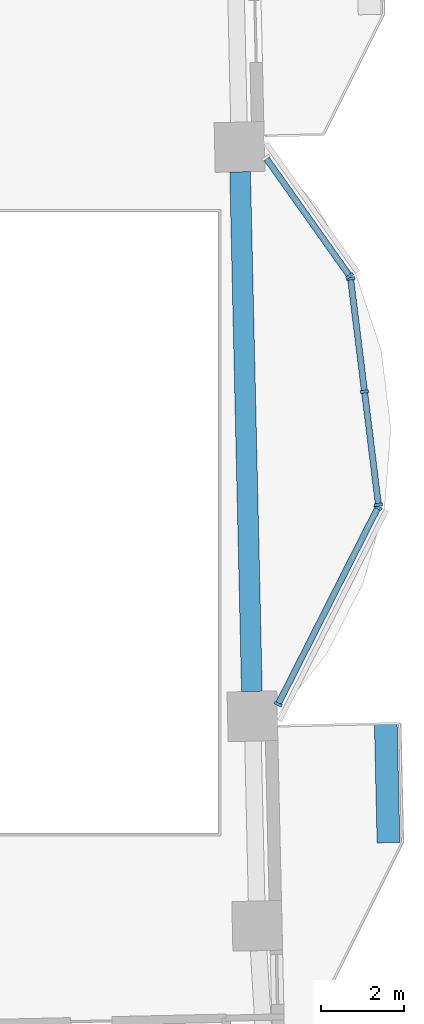
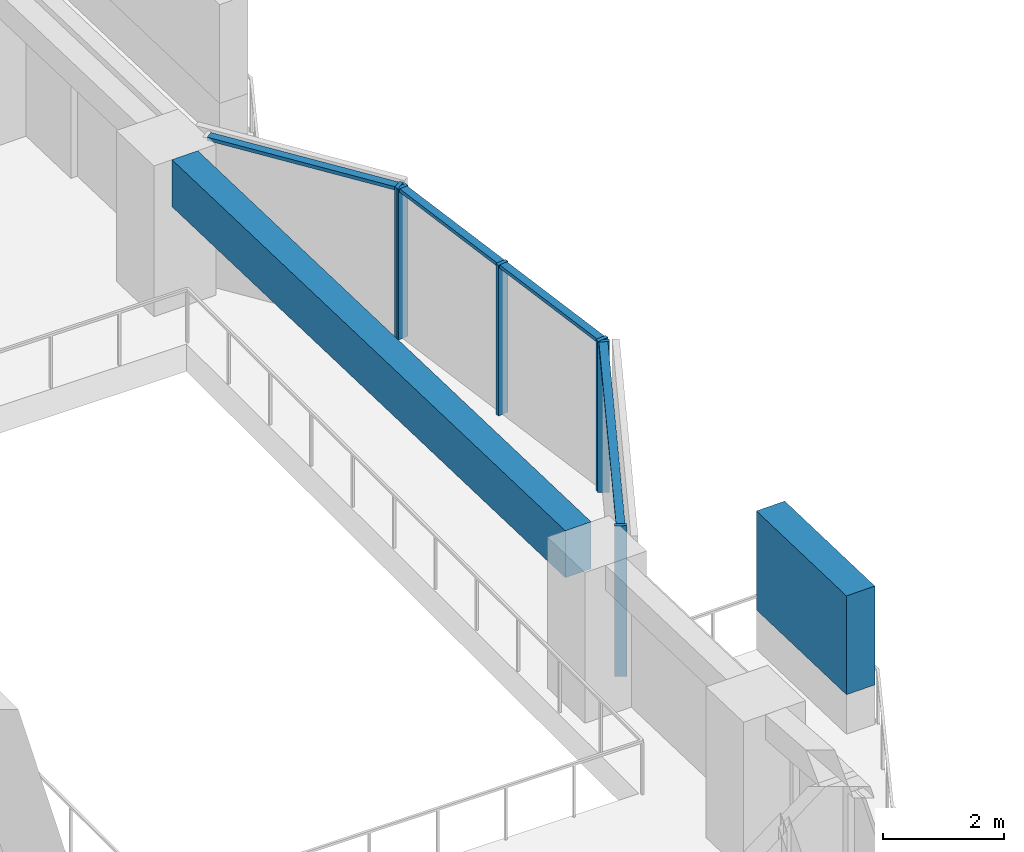
# One storey, part 2 of 16: 11 members, 1 beam, 3 elements without a shape of their own.
"""IFC4 building model written with IfcOpenShell, lengths in metres."""

from ifc_helpers import new_model, si_unit, direction, frame, origin, origin_2d, place, context, subcontext, project, spatial, rectangle, extrude, material, material_profile, profile_set, type_object, element, aggregate, save


model = new_model("IFC4")

# Units and contexts
model_context = context("Model", 3, precision=1e-05, world=origin(), true_north=direction((0.0, 1.0)))
body_context = subcontext(model_context, "Body", "Model", "MODEL_VIEW")
ifc_project = project(units=[si_unit("LENGTHUNIT", "METRE"), si_unit("AREAUNIT", "SQUARE_METRE"), si_unit("VOLUMEUNIT", "CUBIC_METRE"), si_unit("PLANEANGLEUNIT", "RADIAN"), si_unit("MASSUNIT", "GRAM", prefix="KILO")], contexts=[model_context])

# Site, building, storey
site_placement = place(None, origin())
site = spatial("IfcSite", under=ifc_project, at=site_placement, CompositionType="ELEMENT")
building_placement = place(site_placement, origin())
building = spatial("IfcBuilding", under=site, at=building_placement, Name="Mangrove Gate Tower", CompositionType="ELEMENT")
storey_placement = place(building_placement, frame((0.0, 0.0, 178.89990234375)))
storey = spatial("IfcBuildingStorey", under=building, at=storey_placement, Name="L45", CompositionType="ELEMENT", Elevation=178.89990234375)

# Curtain wall, members
ifc_material_1 = material(Name="Aluminium and glass curtain wall", Category="aluminium")
curtain_wall_type = type_object("IfcCurtainWallType", Name="Atrium garden-court glazing wall", PredefinedType="NOTDEFINED", material=ifc_material_1)
curtain_wall_1_placement = place(storey_placement, origin())
curtain_wall_1 = element("IfcCurtainWall", 1, at=curtain_wall_1_placement, inside=storey, type_object=curtain_wall_type, Name="Atrium garden-court glazing E1f1", PredefinedType="NOTDEFINED")
ifc_material_2 = material(Name="Aluminium alloy 6063-T6", Category="aluminium")
ifc_material_profile_1 = material_profile(ifc_material_2, rectangle(XDim=0.070068359375, YDim=0.199951171875, at=origin_2d()))
ifc_profile_set_1 = profile_set([ifc_material_profile_1], Name="Aluminium alloy 6063-T6")
member_type_1 = type_object("IfcMemberType", Name="Atrium garden-court glazing mullion 70x200", PredefinedType="MULLION", material=ifc_profile_set_1)
member_1_placement = place(storey_placement, frame((26.41015625, -4.387451171875, 0.0), z_axis=(0.0, 0.0, 1.0), x_axis=(0.452578247326, 0.891724694089, 0.0)))
member_1 = element("IfcMember", 2, at=member_1_placement, type_object=member_type_1, Name="CWA mullion 1", PredefinedType="MULLION", context=body_context, shape_type="SweptSolid", body=[
    extrude(rectangle(XDim=0.070068359375, YDim=0.199951171875, at=origin_2d()), origin(), (0.0, 0.0, 1.0), 3.050048828125),
])
member_2_placement = place(storey_placement, frame((28.8212890625, 0.363037109375, 0.0), z_axis=(0.0, 0.0, 1.0), x_axis=(0.452578247326, 0.891724694089, 0.0)))
member_2 = element("IfcMember", 3, at=member_2_placement, type_object=member_type_1, Name="CWA mullion 2", PredefinedType="MULLION", context=body_context, shape_type="SweptSolid", body=[
    extrude(rectangle(XDim=0.070068359375, YDim=0.199951171875, at=origin_2d()), origin(), (0.0, 0.0, 1.0), 3.050048828125),
])

curtain_wall_2_placement = place(storey_placement, origin())
curtain_wall_2 = element("IfcCurtainWall", 4, at=curtain_wall_2_placement, inside=storey, type_object=curtain_wall_type, Name="Atrium garden-court glazing E1f2", PredefinedType="NOTDEFINED")
member_3_placement = place(storey_placement, frame((28.8330078125, 0.428955078125, 0.0), z_axis=(0.0, 0.0, 1.0), x_axis=(-0.122172286076, 0.992508908028, 0.0)))
member_3 = element("IfcMember", 5, at=member_3_placement, type_object=member_type_1, Name="CWA mullion 1", PredefinedType="MULLION", context=body_context, shape_type="SweptSolid", body=[
    extrude(rectangle(XDim=0.070068359375, YDim=0.199951171875, at=origin_2d()), origin(), (0.0, 0.0, 1.0), 3.050048828125),
])
member_4_placement = place(storey_placement, frame((28.496826171875, 3.16015625, 0.0), z_axis=(0.0, 0.0, 1.0), x_axis=(-0.122172286076, 0.992508908028, 0.0)))
member_4 = element("IfcMember", 6, at=member_4_placement, type_object=member_type_1, Name="CWA mullion 2", PredefinedType="MULLION", context=body_context, shape_type="SweptSolid", body=[
    extrude(rectangle(XDim=0.070068359375, YDim=0.199951171875, at=origin_2d()), origin(), (0.0, 0.0, 1.0), 3.050048828125),
])
member_5_placement = place(storey_placement, frame((28.16064453125, 5.89111328125, 0.0), z_axis=(0.0, 0.0, 1.0), x_axis=(-0.122172286076, 0.992508908028, 0.0)))
member_5 = element("IfcMember", 7, at=member_5_placement, type_object=member_type_1, Name="CWA mullion 3", PredefinedType="MULLION", context=body_context, shape_type="SweptSolid", body=[
    extrude(rectangle(XDim=0.070068359375, YDim=0.199951171875, at=origin_2d()), origin(), (0.0, 0.0, 1.0), 3.050048828125),
])

# Curtain wall, member
curtain_wall_3_placement = place(storey_placement, origin())
curtain_wall_3 = element("IfcCurtainWall", 8, at=curtain_wall_3_placement, inside=storey, type_object=curtain_wall_type, Name="Atrium garden-court glazing E1f3", PredefinedType="NOTDEFINED")
member_6_placement = place(storey_placement, frame((28.135986328125, 5.95458984375, 0.0), z_axis=(0.0, 0.0, 1.0), x_axis=(-0.578106334278, 0.815961436753, 0.0)))
member_6 = element("IfcMember", 9, at=member_6_placement, type_object=member_type_1, Name="CWA mullion 1", PredefinedType="MULLION", context=body_context, shape_type="SweptSolid", body=[
    extrude(rectangle(XDim=0.070068359375, YDim=0.199951171875, at=origin_2d()), origin(), (0.0, 0.0, 1.0), 3.050048828125),
])

# Member
ifc_material_3 = material(Name="Aluminium alloy 6063-T6", Category="aluminium")
ifc_material_profile_2 = material_profile(ifc_material_3, rectangle(XDim=0.070068359375, YDim=0.14990234375, at=origin_2d()))
ifc_profile_set_2 = profile_set([ifc_material_profile_2], Name="Aluminium alloy 6063-T6")
member_type_2 = type_object("IfcMemberType", Name="Atrium garden-court glazing transom 70x150", PredefinedType="USERDEFINED", material=ifc_profile_set_2)
member_7_placement = place(storey_placement, frame((26.426025390625, -4.3564453125, 3.01513671875), z_axis=(0.452573642037, 0.891727031402, 0.0), x_axis=(0.0, 0.0, 1.0)))
member_7 = element("IfcMember", 10, at=member_7_placement, type_object=member_type_2, Name="CWA transom 1.2", ObjectType="TRANSOM", PredefinedType="USERDEFINED", context=body_context, shape_type="SweptSolid", body=[
    extrude(rectangle(XDim=0.070068359375, YDim=0.14990234375, at=origin_2d()), origin(), (0.0, 0.0, 1.0), 5.257568359375),
])

aggregate(curtain_wall_1, [member_1, member_2, member_7])

member_8_placement = place(storey_placement, frame((28.82861328125, 0.463623046875, 3.01513671875), z_axis=(-0.122174517154, 0.992508633392, 0.0), x_axis=(0.0, 0.0, 1.0)))
member_8 = element("IfcMember", 11, at=member_8_placement, type_object=member_type_2, Name="CWA transom 1.2", ObjectType="TRANSOM", PredefinedType="USERDEFINED", context=body_context, shape_type="SweptSolid", body=[
    extrude(rectangle(XDim=0.070068359375, YDim=0.14990234375, at=origin_2d()), origin(), (0.0, 0.0, 1.0), 2.681640625),
])

member_9_placement = place(storey_placement, frame((28.492431640625, 3.19482421875, 3.01513671875), z_axis=(-0.122174517154, 0.992508633392, 0.0), x_axis=(0.0, 0.0, 1.0)))
member_9 = element("IfcMember", 12, at=member_9_placement, type_object=member_type_2, Name="CWA transom 2.2", ObjectType="TRANSOM", PredefinedType="USERDEFINED", context=body_context, shape_type="SweptSolid", body=[
    extrude(rectangle(XDim=0.070068359375, YDim=0.14990234375, at=origin_2d()), origin(), (0.0, 0.0, 1.0), 2.681640625),
])

aggregate(curtain_wall_2, [member_3, member_4, member_5, member_8, member_9])

member_10_placement = place(storey_placement, frame((28.11572265625, 5.983154296875, 3.01513671875), z_axis=(-0.578094404228, 0.815969889028, 0.0), x_axis=(0.0, 0.0, 1.0)))
member_10 = element("IfcMember", 13, at=member_10_placement, type_object=member_type_2, Name="CWA transom 1.2", ObjectType="TRANSOM", PredefinedType="USERDEFINED", context=body_context, shape_type="SweptSolid", body=[
    extrude(rectangle(XDim=0.070068359375, YDim=0.14990234375, at=origin_2d()), origin(), (0.0, 0.0, 1.0), 3.427978515625),
])

aggregate(curtain_wall_3, [member_6, member_10])

ifc_material_4 = material(Name="Planting on aluminium trellis", Category="aluminium")
ifc_material_profile_3 = material_profile(ifc_material_4, rectangle(XDim=0.550048828125, YDim=2.0, at=origin_2d()))
ifc_profile_set_3 = profile_set([ifc_material_profile_3], Name="Planting on aluminium trellis")
member_type_3 = type_object("IfcMemberType", Name="Balcony greenery screen 550x2000", PredefinedType="USERDEFINED", material=ifc_profile_set_3)
member_11_placement = place(storey_placement, frame((29.074951171875, -7.72900390625, 1.800048828125), z_axis=(-0.022590224177, 0.999744808324, 0.0), x_axis=(-0.999744808324, -0.022590224177, 0.0)))
element("IfcMember", 14, at=member_11_placement, inside=storey, type_object=member_type_3, Name="GREEN SCREEN L45 E0.1", ObjectType="PLANTING", PredefinedType="USERDEFINED", context=body_context, shape_type="SweptSolid", body=[
    extrude(rectangle(XDim=0.550048828125, YDim=2.0, at=origin_2d()), origin(), (0.0, 0.0, 1.0), 2.874755859375),
])

# Beam
ifc_material_5 = material(Name="Concrete C50/60", Category="concrete")
ifc_material_profile_4 = material_profile(ifc_material_5, rectangle(XDim=0.5, YDim=0.949951171875, at=origin_2d()))
ifc_profile_set_4 = profile_set([ifc_material_profile_4], Name="Concrete C50/60")
beam_type = type_object("IfcBeamType", Name="Edge beam RC 500x950 C50/60", PredefinedType="BEAM", material=ifc_profile_set_4)
beam_placement = place(storey_placement, frame((25.776611328125, -4.078857421875, 2.5751953125), z_axis=(-0.022699313353, 0.999742337392, 0.0), x_axis=(-0.999742337392, -0.022699313353, 0.0)))
element("IfcBeam", 15, at=beam_placement, inside=storey, type_object=beam_type, Name="Edge beam L45 14", PredefinedType="BEAM", context=body_context, shape_type="SweptSolid", body=[
    extrude(rectangle(XDim=0.5, YDim=0.949951171875, at=origin_2d()), origin(), (0.0, 0.0, 1.0), 12.551513671875),
])

save(model, "model.ifc")
